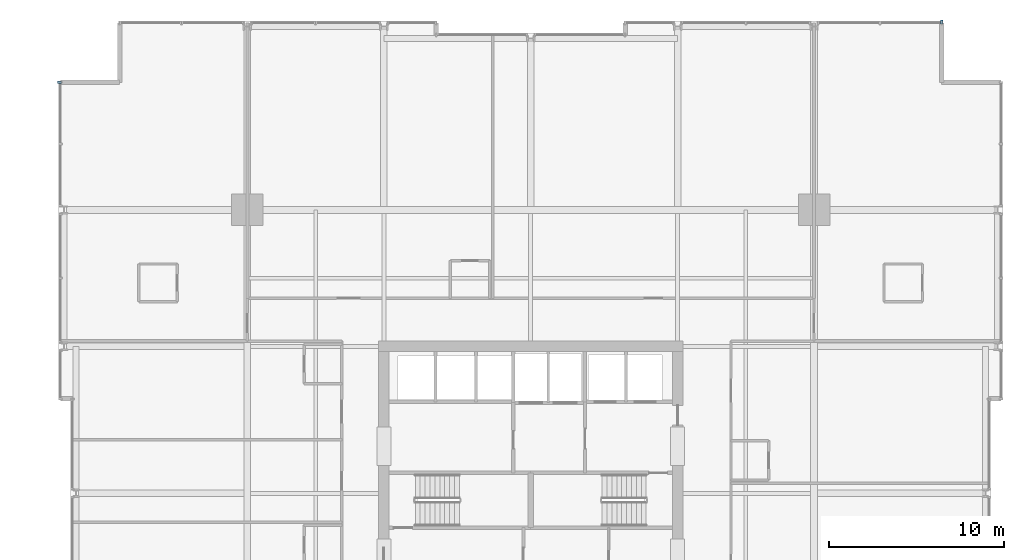
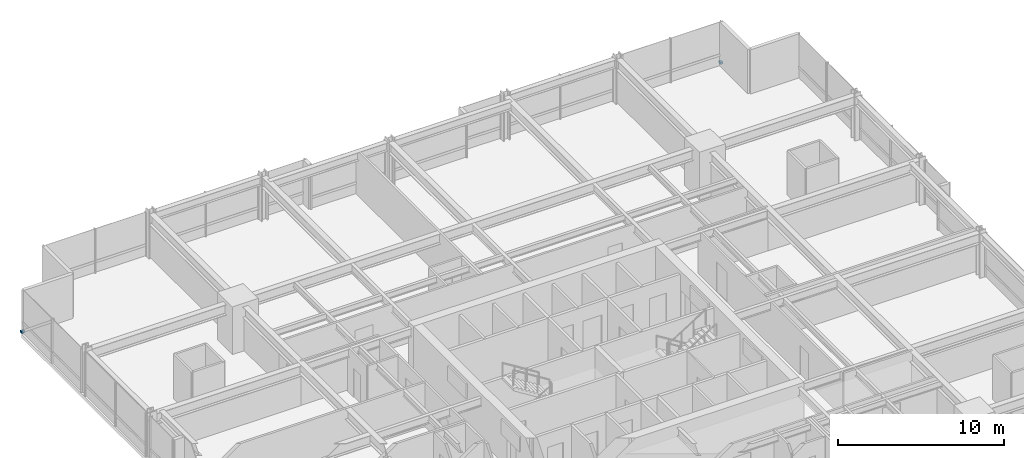
# One storey, part 34 of 37: 2 discrete accessories.
"""IFC4 building model written with IfcOpenShell, lengths in metres."""

from ifc_helpers import new_model, si_unit, direction, frame, origin, origin_2d, place, context, subcontext, project, spatial, rectangle, extrude, material, type_object, element, save


model = new_model("IFC4")

# Units and contexts
model_context = context("Model", 3, precision=1e-05, world=origin(), true_north=direction((0.0, 1.0)))
body_context = subcontext(model_context, "Body", "Model", "MODEL_VIEW")
ifc_project = project(units=[si_unit("LENGTHUNIT", "METRE"), si_unit("AREAUNIT", "SQUARE_METRE"), si_unit("VOLUMEUNIT", "CUBIC_METRE"), si_unit("PLANEANGLEUNIT", "RADIAN"), si_unit("MASSUNIT", "GRAM", prefix="KILO")], contexts=[model_context])

# Site, building, storey
site_placement = place(None, origin())
site = spatial("IfcSite", under=ifc_project, at=site_placement, CompositionType="ELEMENT")
building_placement = place(site_placement, origin())
building = spatial("IfcBuilding", under=site, at=building_placement, Name="Drelvath Grand Hotel", CompositionType="ELEMENT")
storey_placement = place(building_placement, frame((0.0, 0.0, 75.199951171875)))
storey = spatial("IfcBuildingStorey", under=building, at=storey_placement, Name="L18", CompositionType="ELEMENT", Elevation=75.199951171875)

# Discrete accessories
ifc_material = material(Name="Stainless Steel Grade 316", Category="steel")
discrete_accessory_type = type_object("IfcDiscreteAccessoryType", Name="Curtain Wall Fin Mounting Bracket Cleat", PredefinedType="BRACKET", material=ifc_material)
for number, where, z_axis, x_axis, name in (
    (1, (-26.93994140625, 50.5, 0.10009765625), (0.0, 0.0, 1.0), (0.0, 1.0, 0.0), "L18 Fin Mounting Bracket CW02-L18-WN3-1"),
    (2, (23.5, 53.93994140625, 0.10009765625), (0.0, 0.0, 1.0), (1.0, 0.0, 0.0), "L18 Fin Mounting Bracket CW02-L18-NE3-1"),
):
    element("IfcDiscreteAccessory", number, at=place(storey_placement, frame(where, z_axis=z_axis, x_axis=x_axis)), inside=storey, type_object=discrete_accessory_type, Name=name, PredefinedType="BRACKET", context=body_context, shape_type="SweptSolid", body=[
        extrude(rectangle(XDim=0.159912109375, YDim=0.239990234375, at=origin_2d()), origin(), (0.0, 0.0, 1.0), 0.159912109375),
    ])

save(model, "model.ifc")
